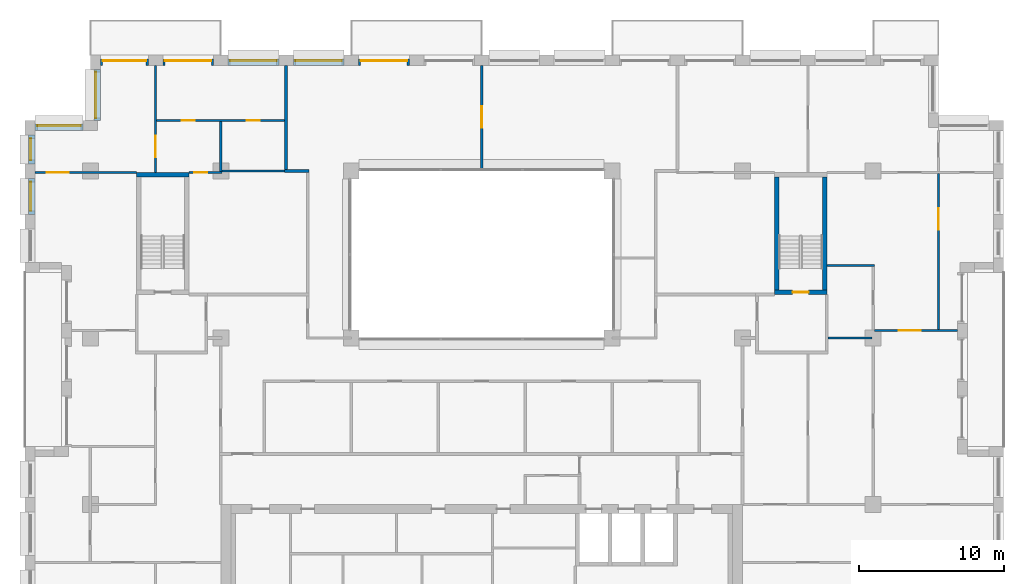
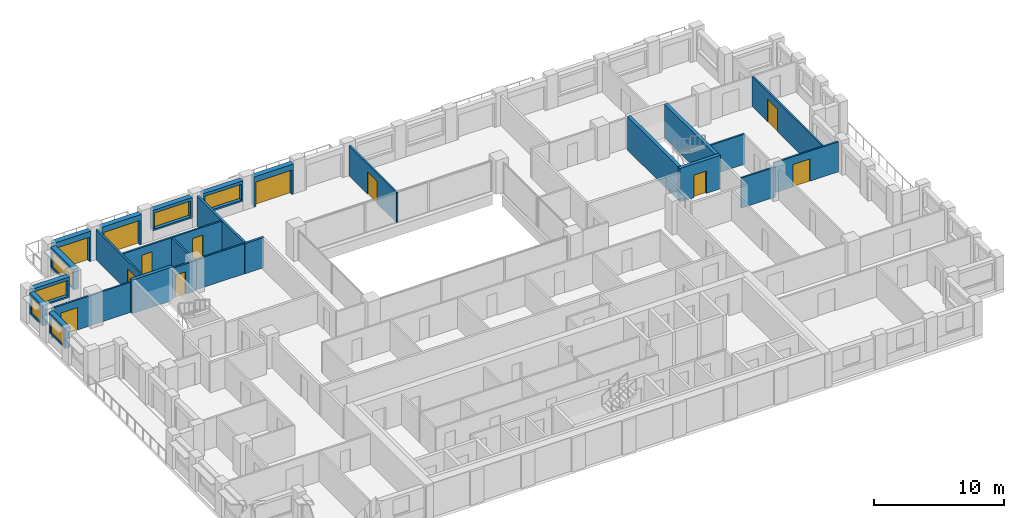
# One storey, part 12 of 16: 26 walls, 12 doors, 6 windows, 18 openings.
"""IFC4 building model written with IfcOpenShell, lengths in metres."""

import ifcopenshell
import ifcopenshell.guid

model = None  # the IFC model being written
_history = None  # IfcOwnerHistory: only IFC2X3 demands one
_inside = {}  # id of a spatial element -> (the spatial element, [elements in it])
_under = {}  # id of a project, library or spatial element -> (it, [spatial elements below it])
_declared = {}  # id of a project -> (the project, [libraries it declares])
_typed = {}  # id of a type object -> (the type object, [elements of that type])
_made_of = {}  # id of a material, layer set ... -> (it, [elements and type objects made of it])


def new_model(schema):
    """Start an empty IFC model of exactly this schema.

    Asked for "IFC4X3", IfcOpenShell would pick the latest addendum, in which some entities
    have other attributes; the version numbers below select the first issue.
    IFC2X3 requires an IfcOwnerHistory on every rooted entity: one is made here for all.
    """
    global model, _history
    if schema == "IFC4X3":
        model = ifcopenshell.file(schema_version=(4, 3, 0, 0))
    else:
        model = ifcopenshell.file(schema=schema)
    _inside.clear()
    _under.clear()
    _declared.clear()
    _typed.clear()
    _made_of.clear()
    _history = None
    if model.schema == "IFC2X3":
        org = make("IfcOrganization", Name="unknown")
        user = make(
            "IfcPersonAndOrganization",
            ThePerson=make("IfcPerson", FamilyName="unknown"),
            TheOrganization=org,
        )
        app = make(
            "IfcApplication",
            ApplicationDeveloper=org,
            Version="unknown",
            ApplicationFullName="unknown",
            ApplicationIdentifier="unknown",
        )
        _history = make(
            "IfcOwnerHistory",
            OwningUser=user,
            OwningApplication=app,
            ChangeAction="ADDED",
            CreationDate=0,
        )
    return model


def make(cls, **values):
    """One entity of the class cls with the attributes given. An attribute that is None is left unset."""
    return model.create_entity(
        cls, **{name: value for name, value in values.items() if value is not None}
    )


def rooted(cls, **values):
    """An entity with a GlobalId (a new one), such as an element, a storey or a relation."""
    return make(cls, GlobalId=ifcopenshell.guid.new(), OwnerHistory=_history, **values)


def si_unit(unit_type, name, prefix=None):
    """IfcSIUnit, for example si_unit("LENGTHUNIT", "METRE", prefix="MILLI")."""
    return make("IfcSIUnit", UnitType=unit_type, Prefix=prefix, Name=name)


def assignment(units):
    """IfcUnitAssignment: the units of a project."""
    return None if units is None else make("IfcUnitAssignment", Units=units)


def point(xyz):
    """IfcCartesianPoint."""
    return None if xyz is None else make("IfcCartesianPoint", Coordinates=xyz)


def direction(xyz):
    """IfcDirection."""
    return None if xyz is None else make("IfcDirection", DirectionRatios=xyz)


def frame(location, z_axis=None, x_axis=None):
    """IfcAxis2Placement3D, a coordinate frame: its origin and axes. An axis left out is left unset."""
    return make(
        "IfcAxis2Placement3D",
        Location=point(location),
        Axis=direction(z_axis),
        RefDirection=direction(x_axis),
    )


def frame_2d(location, x_axis=None):
    """IfcAxis2Placement2D, a coordinate frame in the plane: its origin and x axis."""
    return make(
        "IfcAxis2Placement2D", Location=point(location), RefDirection=direction(x_axis)
    )


def origin():
    """The frame at (0, 0, 0) with its axes left unset."""
    return frame((0.0, 0.0, 0.0))


def place(relative_to, where):
    """IfcLocalPlacement: puts the frame where relative to a parent placement (None: the world)."""
    return make(
        "IfcLocalPlacement", PlacementRelTo=relative_to, RelativePlacement=where
    )


def context(
    kind, dimensions, precision=None, world=None, true_north=None, identifier=None
):
    """IfcGeometricRepresentationContext, for example the 3D "Model" context."""
    return make(
        "IfcGeometricRepresentationContext",
        ContextIdentifier=identifier,
        ContextType=kind,
        CoordinateSpaceDimension=dimensions,
        Precision=precision,
        WorldCoordinateSystem=world,
        TrueNorth=true_north,
    )


def subcontext(parent, identifier, kind, view, scale=None):
    """IfcGeometricRepresentationSubContext, for example "Body" below "Model"."""
    return make(
        "IfcGeometricRepresentationSubContext",
        ContextIdentifier=identifier,
        ContextType=kind,
        ParentContext=parent,
        TargetScale=scale,
        TargetView=view,
    )


def project(units=None, contexts=None):
    """IfcProject with its units and contexts."""
    return rooted(
        "IfcProject",
        Name="project",
        RepresentationContexts=contexts,
        UnitsInContext=assignment(units),
    )


def spatial(cls, under=None, at=None, **own):
    """A site, building, storey or space (cls), placed at a placement, below another one or the project."""
    s = rooted(cls, ObjectPlacement=at, **own)
    if under is not None:
        _under.setdefault(under.id(), (under, []))[1].append(s)
    return s


def profile(cls, at=None, kind="AREA", **sizes):
    """A parametric profile (cls). Its sizes go by their IFC names, for example OverallWidth=200.0."""
    return make(cls, ProfileType=kind, Position=at, **sizes)


def rectangle(**sizes):
    """IfcRectangleProfileDef."""
    return profile("IfcRectangleProfileDef", **sizes)


def extrude(swept, where, along, depth):
    """IfcExtrudedAreaSolid: the profile swept, set in the frame where, extruded along a direction by depth."""
    return make(
        "IfcExtrudedAreaSolid",
        SweptArea=swept,
        Position=where,
        ExtrudedDirection=direction(along),
        Depth=depth,
    )


def shape(context_of_items, identifier, shape_type, items):
    """IfcShapeRepresentation: the items that make up one representation, for example the "Body"."""
    return make(
        "IfcShapeRepresentation",
        ContextOfItems=context_of_items,
        RepresentationIdentifier=identifier,
        RepresentationType=shape_type,
        Items=items,
    )


def material(Name=None, Category=None):
    """IfcMaterial."""
    return make("IfcMaterial", Name=Name, Category=Category)


def layer(
    of_material, thickness, ventilated=None, Name=None, Category=None, Priority=None
):
    """IfcMaterialLayer: one layer of a wall or slab, of a material (None: an air gap)."""
    return make(
        "IfcMaterialLayer",
        Material=of_material,
        LayerThickness=thickness,
        IsVentilated=ventilated,
        Name=Name,
        Category=Category,
        Priority=Priority,
    )


def layer_set(layers, Name=None):
    """IfcMaterialLayerSet."""
    return make("IfcMaterialLayerSet", MaterialLayers=layers, LayerSetName=Name)


def made_of(thing, what):
    """Note that an element or type object is made of a material, layer set ...; save() writes the relation."""
    if what is not None:
        _made_of.setdefault(what.id(), (what, []))[1].append(thing)
    return thing


def type_object(cls, material=None, **own):
    """A type object (cls), such as IfcWallType, which elements share."""
    return made_of(rooted(cls, **own), material)


def element(
    cls,
    number,
    at=None,
    inside=None,
    cuts=None,
    type_object=None,
    material=None,
    context=None,
    identifier="Body",
    shape_type=None,
    held_by="IfcProductDefinitionShape",
    body=None,
    shapes=None,
    **own,
):
    """One element of the class cls, such as IfcWall. Its Tag is "e" and its number.

    at: its placement. inside: the storey or other place that contains it. cuts: it is an
    opening in that element (IfcRelVoidsElement). A single representation is given by context,
    identifier, shape_type and body (its items); several are given by shapes. held_by: the class
    of the entity that holds the representations. save() writes the other relations.
    """
    e = rooted(cls, Tag="e%d" % number, ObjectPlacement=at, **own)
    if body is not None:
        shapes = [shape(context, identifier, shape_type, body)]
    if shapes is not None:
        e.Representation = make(held_by, Representations=shapes)
    if inside is not None:
        _inside.setdefault(inside.id(), (inside, []))[1].append(e)
    if cuts is not None:
        rooted(
            "IfcRelVoidsElement", RelatingBuildingElement=cuts, RelatedOpeningElement=e
        )
    if type_object is not None:
        _typed.setdefault(type_object.id(), (type_object, []))[1].append(e)
    return made_of(e, material)


def fill(opening, filler):
    """IfcRelFillsElement: the door or window that sits in an opening."""
    return rooted(
        "IfcRelFillsElement",
        RelatingOpeningElement=opening,
        RelatedBuildingElement=filler,
    )


def aggregate(whole, parts):
    """IfcRelAggregates: a whole, such as a stair, and the parts it consists of."""
    return rooted("IfcRelAggregates", RelatingObject=whole, RelatedObjects=parts)


def save(model, path):
    """Write the relations noted so far, then the file.

    IfcRelAggregates (storeys below a building ...), IfcRelContainedInSpatialStructure (elements
    in a storey), IfcRelDefinesByType, IfcRelAssociatesMaterial and IfcRelDeclares: one each for
    every whole, place, type object, material and project.
    """
    for whole, parts in _under.values():
        aggregate(whole, parts)
    for where, things in _inside.values():
        rooted(
            "IfcRelContainedInSpatialStructure",
            RelatedElements=things,
            RelatingStructure=where,
        )
    for kind, things in _typed.values():
        rooted("IfcRelDefinesByType", RelatedObjects=things, RelatingType=kind)
    for what, things in _made_of.values():
        rooted("IfcRelAssociatesMaterial", RelatedObjects=things, RelatingMaterial=what)
    for by, libraries in _declared.values():
        rooted("IfcRelDeclares", RelatingContext=by, RelatedDefinitions=libraries)
    model.write(path)


model = new_model("IFC4")

# Units and contexts
model_context = context("Model", 3, precision=1e-05, world=origin(), true_north=direction((0.0, 1.0)))
body_context = subcontext(model_context, "Body", "Model", "MODEL_VIEW")
ifc_project = project(units=[si_unit("LENGTHUNIT", "METRE"), si_unit("AREAUNIT", "SQUARE_METRE"), si_unit("VOLUMEUNIT", "CUBIC_METRE"), si_unit("PLANEANGLEUNIT", "RADIAN"), si_unit("MASSUNIT", "GRAM", prefix="KILO")], contexts=[model_context])

# Site, building, storey
site_placement = place(None, origin())
site = spatial("IfcSite", under=ifc_project, at=site_placement, CompositionType="ELEMENT")
building_placement = place(site_placement, origin())
building = spatial("IfcBuilding", under=site, at=building_placement, Name="Brigalow Station Residences", CompositionType="ELEMENT")
storey_placement = place(building_placement, frame((0.0, 0.0, 160.199951171875)))
storey = spatial("IfcBuildingStorey", under=building, at=storey_placement, Name="L46", CompositionType="ELEMENT", Elevation=160.199951171875)

# Wall, opening, door
ifc_material_1 = material(Name="Clay brick masonry", Category="masonry")
ifc_layer_1 = layer(ifc_material_1, 0.449951171875)
ifc_layer_set_1 = layer_set([ifc_layer_1], Name="BRICK INFILL WALL 450")
wall_type_1 = type_object("IfcWallType", Name="BRICK INFILL WALL 450", PredefinedType="SOLIDWALL", material=ifc_layer_set_1)
wall_1_placement = place(storey_placement, frame((31.0, 43.02490234375, 0.0), z_axis=(0.0, 0.0, 1.0), x_axis=(-1.0, 0.0, 0.0)))
wall_1 = element("IfcWall", 1, at=wall_1_placement, inside=storey, type_object=wall_type_1, Name="L46/ewall/W-L46-30", PredefinedType="SOLIDWALL", context=body_context, shape_type="SweptSolid", body=[
    extrude(rectangle(XDim=3.5, YDim=0.449951171875, at=frame_2d((1.75, 0.0))), origin(), (0.0, 0.0, 1.0), 2.830078125),
])
opening_1_placement = place(wall_1_placement, frame((0.14990234375, 0.0, 0.0)))
opening_1 = element("IfcOpeningElement", 2, at=opening_1_placement, cuts=wall_1, Name="Opening D-B3200", PredefinedType="OPENING", context=body_context, shape_type="SweptSolid", body=[
    extrude(rectangle(XDim=3.199951171875, YDim=2.300048828125, at=frame_2d((1.60009765625, 1.14990234375))), frame((0.0, 0.23486328125, 0.0), z_axis=(0.0, -1.0, 0.0), x_axis=(1.0, 0.0, 0.0)), (0.0, 0.0, 1.0), 0.469970703125),
])
ifc_material_2 = material(Name="Anodised aluminium frame with double glazing", Category="aluminium")
door_type_1 = type_object("IfcDoorType", Name="BALCONY SLIDING DOOR 3200x2300", OperationType="SLIDING_TO_LEFT", PredefinedType="DOOR", material=ifc_material_2)
door_1_placement = place(opening_1_placement, origin())
door_1 = element("IfcDoor", 3, at=door_1_placement, inside=storey, type_object=door_type_1, Name="L46/balcony-door/W-L46-30", OperationType="SLIDING_TO_LEFT", OverallHeight=2.300048828125, OverallWidth=3.199951171875, PredefinedType="DOOR", context=body_context, shape_type="SweptSolid", body=[
    extrude(rectangle(XDim=3.199951171875, YDim=2.300048828125, at=frame_2d((1.60009765625, 1.14990234375))), frame((0.0, -0.06982421875, 0.0), z_axis=(0.0, -1.0, 0.0), x_axis=(1.0, 0.0, 0.0)), (0.0, 0.0, 1.0), 0.050048828125),
])
fill(opening_1, door_1)

# Wall, opening, window
wall_2_placement = place(storey_placement, frame((26.5, 43.02490234375, 0.900146484375), z_axis=(0.0, 0.0, 1.0), x_axis=(-1.0, 0.0, 0.0)))
wall_2 = element("IfcWall", 4, at=wall_2_placement, inside=storey, type_object=wall_type_1, Name="L46/ewall/W-L46-31", PredefinedType="SOLIDWALL", context=body_context, shape_type="SweptSolid", body=[
    extrude(rectangle(XDim=3.5, YDim=0.449951171875, at=frame_2d((1.75, 0.0))), origin(), (0.0, 0.0, 1.0), 1.929931640625),
])
opening_2_placement = place(wall_2_placement, frame((0.14990234375, 0.0, 0.14990234375)))
opening_2 = element("IfcOpeningElement", 5, at=opening_2_placement, cuts=wall_2, Name="Opening WT-9", PredefinedType="OPENING", context=body_context, shape_type="SweptSolid", body=[
    extrude(rectangle(XDim=3.199951171875, YDim=1.5, at=frame_2d((1.60009765625, 0.75))), frame((0.0, 0.23486328125, 0.0), z_axis=(0.0, -1.0, 0.0), x_axis=(1.0, 0.0, 0.0)), (0.0, 0.0, 1.0), 0.469970703125),
])
ifc_material_3 = material(Name="Anodised aluminium frame with double glazing", Category="aluminium")
window_type_1 = type_object("IfcWindowType", Name="WINDOW 3200x1500", PartitioningType="SINGLE_PANEL", PredefinedType="WINDOW", material=ifc_material_3)
window_1_placement = place(opening_2_placement, origin())
window_1 = element("IfcWindow", 6, at=window_1_placement, inside=storey, type_object=window_type_1, Name="L46/window/W-L46-31", OverallHeight=1.5, OverallWidth=3.199951171875, PartitioningType="SINGLE_PANEL", PredefinedType="WINDOW", context=body_context, shape_type="SweptSolid", body=[
    extrude(rectangle(XDim=3.199951171875, YDim=1.5, at=frame_2d((1.60009765625, 0.75))), frame((0.0, -0.06494140625, 0.0), z_axis=(0.0, -1.0, 0.0), x_axis=(1.0, 0.0, 0.0)), (0.0, 0.0, 1.0), 0.06005859375),
])
fill(opening_2, window_1)

wall_3_placement = place(storey_placement, frame((22.0, 43.02490234375, 0.900146484375), z_axis=(0.0, 0.0, 1.0), x_axis=(-1.0, 0.0, 0.0)))
wall_3 = element("IfcWall", 7, at=wall_3_placement, inside=storey, type_object=wall_type_1, Name="L46/ewall/W-L46-32", PredefinedType="SOLIDWALL", context=body_context, shape_type="SweptSolid", body=[
    extrude(rectangle(XDim=3.5, YDim=0.449951171875, at=frame_2d((1.75, 0.0))), origin(), (0.0, 0.0, 1.0), 1.929931640625),
])
opening_3_placement = place(wall_3_placement, frame((0.14990234375, 0.0, 0.14990234375)))
opening_3 = element("IfcOpeningElement", 8, at=opening_3_placement, cuts=wall_3, Name="Opening WT-9", PredefinedType="OPENING", context=body_context, shape_type="SweptSolid", body=[
    extrude(rectangle(XDim=3.199951171875, YDim=1.5, at=frame_2d((1.60009765625, 0.75))), frame((0.0, 0.23486328125, 0.0), z_axis=(0.0, -1.0, 0.0), x_axis=(1.0, 0.0, 0.0)), (0.0, 0.0, 1.0), 0.469970703125),
])
window_2_placement = place(opening_3_placement, origin())
window_2 = element("IfcWindow", 9, at=window_2_placement, inside=storey, type_object=window_type_1, Name="L46/window/W-L46-32", OverallHeight=1.5, OverallWidth=3.199951171875, PartitioningType="SINGLE_PANEL", PredefinedType="WINDOW", context=body_context, shape_type="SweptSolid", body=[
    extrude(rectangle(XDim=3.199951171875, YDim=1.5, at=frame_2d((1.60009765625, 0.75))), frame((0.0, -0.06494140625, 0.0), z_axis=(0.0, -1.0, 0.0), x_axis=(1.0, 0.0, 0.0)), (0.0, 0.0, 1.0), 0.06005859375),
])
fill(opening_3, window_2)

# Wall, opening, door
wall_4_placement = place(storey_placement, frame((17.5, 43.02490234375, 0.0), z_axis=(0.0, 0.0, 1.0), x_axis=(-1.0, 0.0, 0.0)))
wall_4 = element("IfcWall", 10, at=wall_4_placement, inside=storey, type_object=wall_type_1, Name="L46/ewall/W-L46-33", PredefinedType="SOLIDWALL", context=body_context, shape_type="SweptSolid", body=[
    extrude(rectangle(XDim=3.5, YDim=0.449951171875, at=frame_2d((1.75, 0.0))), origin(), (0.0, 0.0, 1.0), 2.830078125),
])
opening_4_placement = place(wall_4_placement, frame((0.14990234375, 0.0, 0.0)))
opening_4 = element("IfcOpeningElement", 11, at=opening_4_placement, cuts=wall_4, Name="Opening D-B3200", PredefinedType="OPENING", context=body_context, shape_type="SweptSolid", body=[
    extrude(rectangle(XDim=3.199951171875, YDim=2.300048828125, at=frame_2d((1.60009765625, 1.14990234375))), frame((0.0, 0.23486328125, 0.0), z_axis=(0.0, -1.0, 0.0), x_axis=(1.0, 0.0, 0.0)), (0.0, 0.0, 1.0), 0.469970703125),
])
door_2_placement = place(opening_4_placement, origin())
door_2 = element("IfcDoor", 12, at=door_2_placement, inside=storey, type_object=door_type_1, Name="L46/balcony-door/W-L46-33", OperationType="SLIDING_TO_LEFT", OverallHeight=2.300048828125, OverallWidth=3.199951171875, PredefinedType="DOOR", context=body_context, shape_type="SweptSolid", body=[
    extrude(rectangle(XDim=3.199951171875, YDim=2.300048828125, at=frame_2d((1.60009765625, 1.14990234375))), frame((0.0, -0.06982421875, 0.0), z_axis=(0.0, -1.0, 0.0), x_axis=(1.0, 0.0, 0.0)), (0.0, 0.0, 1.0), 0.050048828125),
])
fill(opening_4, door_2)

wall_5_placement = place(storey_placement, frame((13.0, 43.02490234375, 0.0), z_axis=(0.0, 0.0, 1.0), x_axis=(-1.0, 0.0, 0.0)))
wall_5 = element("IfcWall", 13, at=wall_5_placement, inside=storey, type_object=wall_type_1, Name="L46/ewall/W-L46-34", PredefinedType="SOLIDWALL", context=body_context, shape_type="SweptSolid", body=[
    extrude(rectangle(XDim=3.300048828125, YDim=0.449951171875, at=frame_2d((1.64990234375, 0.0))), origin(), (0.0, 0.0, 1.0), 2.830078125),
])
opening_5_placement = place(wall_5_placement, frame((0.14990234375, 0.0, 0.0)))
opening_5 = element("IfcOpeningElement", 14, at=opening_5_placement, cuts=wall_5, Name="Opening D-B3000", PredefinedType="OPENING", context=body_context, shape_type="SweptSolid", body=[
    extrude(rectangle(XDim=3.0, YDim=2.300048828125, at=frame_2d((1.5, 1.14990234375))), frame((0.0, 0.23486328125, 0.0), z_axis=(0.0, -1.0, 0.0), x_axis=(1.0, 0.0, 0.0)), (0.0, 0.0, 1.0), 0.469970703125),
])
ifc_material_4 = material(Name="Anodised aluminium frame with double glazing", Category="aluminium")
door_type_2 = type_object("IfcDoorType", Name="BALCONY SLIDING DOOR 3000x2300", OperationType="SLIDING_TO_LEFT", PredefinedType="DOOR", material=ifc_material_4)
door_3_placement = place(opening_5_placement, origin())
door_3 = element("IfcDoor", 15, at=door_3_placement, inside=storey, type_object=door_type_2, Name="L46/balcony-door/W-L46-34", OperationType="SLIDING_TO_LEFT", OverallHeight=2.300048828125, OverallWidth=3.0, PredefinedType="DOOR", context=body_context, shape_type="SweptSolid", body=[
    extrude(rectangle(XDim=3.0, YDim=2.300048828125, at=frame_2d((1.5, 1.14990234375))), frame((0.0, -0.06982421875, 0.0), z_axis=(0.0, -1.0, 0.0), x_axis=(1.0, 0.0, 0.0)), (0.0, 0.0, 1.0), 0.050048828125),
])
fill(opening_5, door_3)

# Wall, opening, window
wall_6_placement = place(storey_placement, frame((9.47509765625, 42.5, 0.900146484375), z_axis=(0.0, 0.0, 1.0), x_axis=(0.0, -1.0, 0.0)))
wall_6 = element("IfcWall", 16, at=wall_6_placement, inside=storey, type_object=wall_type_1, Name="L46/ewall/W-L46-35", PredefinedType="SOLIDWALL", context=body_context, shape_type="SweptSolid", body=[
    extrude(rectangle(XDim=3.5, YDim=0.449951171875, at=frame_2d((1.75, 0.0))), origin(), (0.0, 0.0, 1.0), 1.929931640625),
])
opening_6_placement = place(wall_6_placement, frame((0.14990234375, 0.0, 0.14990234375)))
opening_6 = element("IfcOpeningElement", 17, at=opening_6_placement, cuts=wall_6, Name="Opening WT-9", PredefinedType="OPENING", context=body_context, shape_type="SweptSolid", body=[
    extrude(rectangle(XDim=3.199951171875, YDim=1.5, at=frame_2d((1.60009765625, 0.75))), frame((0.0, 0.23486328125, 0.0), z_axis=(0.0, -1.0, 0.0), x_axis=(1.0, 0.0, 0.0)), (0.0, 0.0, 1.0), 0.469970703125),
])
window_3_placement = place(opening_6_placement, origin())
window_3 = element("IfcWindow", 18, at=window_3_placement, inside=storey, type_object=window_type_1, Name="L46/window/W-L46-35", OverallHeight=1.5, OverallWidth=3.199951171875, PartitioningType="SINGLE_PANEL", PredefinedType="WINDOW", context=body_context, shape_type="SweptSolid", body=[
    extrude(rectangle(XDim=3.199951171875, YDim=1.5, at=frame_2d((1.60009765625, 0.75))), frame((0.0, -0.06494140625, 0.0), z_axis=(0.0, -1.0, 0.0), x_axis=(1.0, 0.0, 0.0)), (0.0, 0.0, 1.0), 0.06005859375),
])
fill(opening_6, window_3)

wall_7_placement = place(storey_placement, frame((8.5, 38.52490234375, 0.900146484375), z_axis=(0.0, 0.0, 1.0), x_axis=(-1.0, 0.0, 0.0)))
wall_7 = element("IfcWall", 19, at=wall_7_placement, inside=storey, type_object=wall_type_1, Name="L46/ewall/W-L46-36", PredefinedType="SOLIDWALL", context=body_context, shape_type="SweptSolid", body=[
    extrude(rectangle(XDim=3.300048828125, YDim=0.449951171875, at=frame_2d((1.64990234375, 0.0))), origin(), (0.0, 0.0, 1.0), 1.929931640625),
])
opening_7_placement = place(wall_7_placement, frame((0.14990234375, 0.0, 0.14990234375)))
opening_7 = element("IfcOpeningElement", 20, at=opening_7_placement, cuts=wall_7, Name="Opening WT-2", PredefinedType="OPENING", context=body_context, shape_type="SweptSolid", body=[
    extrude(rectangle(XDim=3.0, YDim=1.5, at=frame_2d((1.5, 0.75))), frame((0.0, 0.23486328125, 0.0), z_axis=(0.0, -1.0, 0.0), x_axis=(1.0, 0.0, 0.0)), (0.0, 0.0, 1.0), 0.469970703125),
])
ifc_material_5 = material(Name="Anodised aluminium frame with double glazing", Category="aluminium")
window_type_2 = type_object("IfcWindowType", Name="WINDOW 3000x1500", PartitioningType="SINGLE_PANEL", PredefinedType="WINDOW", material=ifc_material_5)
window_4_placement = place(opening_7_placement, origin())
window_4 = element("IfcWindow", 21, at=window_4_placement, inside=storey, type_object=window_type_2, Name="L46/window/W-L46-36", OverallHeight=1.5, OverallWidth=3.0, PartitioningType="SINGLE_PANEL", PredefinedType="WINDOW", context=body_context, shape_type="SweptSolid", body=[
    extrude(rectangle(XDim=3.0, YDim=1.5, at=frame_2d((1.5, 0.75))), frame((0.0, -0.06494140625, 0.0), z_axis=(0.0, -1.0, 0.0), x_axis=(1.0, 0.0, 0.0)), (0.0, 0.0, 1.0), 0.06005859375),
])
fill(opening_7, window_4)

wall_8_placement = place(storey_placement, frame((4.97509765625, 38.0, 0.900146484375), z_axis=(0.0, 0.0, 1.0), x_axis=(0.0, -1.0, 0.0)))
wall_8 = element("IfcWall", 22, at=wall_8_placement, inside=storey, type_object=wall_type_1, Name="L46/ewall/W-L46-37", PredefinedType="SOLIDWALL", context=body_context, shape_type="SweptSolid", body=[
    extrude(rectangle(XDim=2.0, YDim=0.449951171875, at=frame_2d((1.0, 0.0))), origin(), (0.0, 0.0, 1.0), 1.929931640625),
])
opening_8_placement = place(wall_8_placement, frame((0.25, 0.0, 0.14990234375)))
opening_8 = element("IfcOpeningElement", 23, at=opening_8_placement, cuts=wall_8, Name="Opening WT-1", PredefinedType="OPENING", context=body_context, shape_type="SweptSolid", body=[
    extrude(rectangle(XDim=1.5, YDim=1.5, at=frame_2d((0.75, 0.75))), frame((0.0, 0.23486328125, 0.0), z_axis=(0.0, -1.0, 0.0), x_axis=(1.0, 0.0, 0.0)), (0.0, 0.0, 1.0), 0.469970703125),
])
ifc_material_6 = material(Name="Anodised aluminium frame with double glazing", Category="aluminium")
window_type_3 = type_object("IfcWindowType", Name="WINDOW 1500x1500", PartitioningType="SINGLE_PANEL", PredefinedType="WINDOW", material=ifc_material_6)
window_5_placement = place(opening_8_placement, origin())
window_5 = element("IfcWindow", 24, at=window_5_placement, inside=storey, type_object=window_type_3, Name="L46/window/W-L46-37", OverallHeight=1.5, OverallWidth=1.5, PartitioningType="SINGLE_PANEL", PredefinedType="WINDOW", context=body_context, shape_type="SweptSolid", body=[
    extrude(rectangle(XDim=1.5, YDim=1.5, at=frame_2d((0.75, 0.75))), frame((0.0, -0.06494140625, 0.0), z_axis=(0.0, -1.0, 0.0), x_axis=(1.0, 0.0, 0.0)), (0.0, 0.0, 1.0), 0.06005859375),
])
fill(opening_8, window_5)

wall_9_placement = place(storey_placement, frame((4.97509765625, 35.0, 0.900146484375), z_axis=(0.0, 0.0, 1.0), x_axis=(0.0, -1.0, 0.0)))
wall_9 = element("IfcWall", 25, at=wall_9_placement, inside=storey, type_object=wall_type_1, Name="L46/ewall/W-L46-38", PredefinedType="SOLIDWALL", context=body_context, shape_type="SweptSolid", body=[
    extrude(rectangle(XDim=2.5, YDim=0.449951171875, at=frame_2d((1.25, 0.0))), origin(), (0.0, 0.0, 1.0), 1.929931640625),
])
opening_9_placement = place(wall_9_placement, frame((0.25, 0.0, 0.14990234375)))
opening_9 = element("IfcOpeningElement", 26, at=opening_9_placement, cuts=wall_9, Name="Opening WT-7", PredefinedType="OPENING", context=body_context, shape_type="SweptSolid", body=[
    extrude(rectangle(XDim=2.0, YDim=1.5, at=frame_2d((1.0, 0.75))), frame((0.0, 0.23486328125, 0.0), z_axis=(0.0, -1.0, 0.0), x_axis=(1.0, 0.0, 0.0)), (0.0, 0.0, 1.0), 0.469970703125),
])
ifc_material_7 = material(Name="Anodised aluminium frame with double glazing", Category="aluminium")
window_type_4 = type_object("IfcWindowType", Name="WINDOW 2000x1500", PartitioningType="SINGLE_PANEL", PredefinedType="WINDOW", material=ifc_material_7)
window_6_placement = place(opening_9_placement, origin())
window_6 = element("IfcWindow", 27, at=window_6_placement, inside=storey, type_object=window_type_4, Name="L46/window/W-L46-38", OverallHeight=1.5, OverallWidth=2.0, PartitioningType="SINGLE_PANEL", PredefinedType="WINDOW", context=body_context, shape_type="SweptSolid", body=[
    extrude(rectangle(XDim=2.0, YDim=1.5, at=frame_2d((1.0, 0.75))), frame((0.0, -0.06494140625, 0.0), z_axis=(0.0, -1.0, 0.0), x_axis=(1.0, 0.0, 0.0)), (0.0, 0.0, 1.0), 0.06005859375),
])
fill(opening_9, window_6)

# Wall
ifc_material_8 = material(Name="Concrete C65", Category="concrete")
ifc_layer_2 = layer(ifc_material_8, 0.300048828125)
ifc_layer_set_2 = layer_set([ifc_layer_2], Name="CORE SHEAR WALL 300 C65")
wall_type_2 = type_object("IfcWallType", Name="CORE SHEAR WALL 300 C65", PredefinedType="SHEAR", material=ifc_layer_set_2)
wall_10_placement = place(storey_placement, frame((12.199951171875, 35.25, 0.0), z_axis=(0.0, 0.0, 1.0), x_axis=(1.0, 0.0, 0.0)))
element("IfcWall", 28, at=wall_10_placement, inside=storey, type_object=wall_type_2, Name="CORE WALL ST-S1-N L46", PredefinedType="SHEAR", context=body_context, shape_type="SweptSolid", body=[
    extrude(rectangle(XDim=3.60009765625, YDim=0.300048828125, at=frame_2d((1.800048828125, 0.0))), origin(), (0.0, 0.0, 1.0), 3.150146484375),
])

# Wall, opening, door
wall_11_placement = place(storey_placement, frame((56.199951171875, 27.14990234375, 0.0), z_axis=(0.0, 0.0, 1.0), x_axis=(1.0, 0.0, 0.0)))
wall_11 = element("IfcWall", 29, at=wall_11_placement, inside=storey, type_object=wall_type_2, Name="CORE WALL ST-S3-S L46", PredefinedType="SHEAR", context=body_context, shape_type="SweptSolid", body=[
    extrude(rectangle(XDim=3.60009765625, YDim=0.300048828125, at=frame_2d((1.800048828125, 0.0))), origin(), (0.0, 0.0, 1.0), 3.150146484375),
])
opening_10_placement = place(wall_11_placement, frame((1.25, 0.0, 0.0)))
opening_10 = element("IfcOpeningElement", 30, at=opening_10_placement, cuts=wall_11, Name="Opening D-5018", PredefinedType="OPENING", context=body_context, shape_type="SweptSolid", body=[
    extrude(rectangle(XDim=1.10009765625, YDim=2.10009765625, at=frame_2d((0.550048828125, 1.050048828125))), frame((0.0, 0.16015625, 0.0), z_axis=(0.0, -1.0, 0.0), x_axis=(1.0, 0.0, 0.0)), (0.0, 0.0, 1.0), 0.320068359375),
])
ifc_material_9 = material(Name="Steel fire door leaf in steel frame", Category="steel")
door_type_3 = type_object("IfcDoorType", Name="STAIR DOOR 1100 x 2100 FD60S", OperationType="SINGLE_SWING_LEFT", PredefinedType="DOOR", material=ifc_material_9)
door_4_placement = place(opening_10_placement, origin())
door_4 = element("IfcDoor", 31, at=door_4_placement, inside=storey, type_object=door_type_3, Name="D-5018", OperationType="SINGLE_SWING_LEFT", OverallHeight=2.10009765625, OverallWidth=1.10009765625, PredefinedType="DOOR", context=body_context, shape_type="SweptSolid", body=[
    extrude(rectangle(XDim=1.10009765625, YDim=2.10009765625, at=frame_2d((0.550048828125, 1.050048828125))), frame((0.0, 0.02490234375, 0.0), z_axis=(0.0, -1.0, 0.0), x_axis=(1.0, 0.0, 0.0)), (0.0, 0.0, 1.0), 0.050048828125),
])
fill(opening_10, door_4)

# Walls
for number, where, z_axis, x_axis, name in (
    (32, (56.35009765625, 27.300048828125, 0.0), (0.0, 0.0, 1.0), (0.0, 1.0, 0.0), "CORE WALL ST-S3-W L46"),
    (33, (59.64990234375, 27.300048828125, 0.0), (0.0, 0.0, 1.0), (0.0, 1.0, 0.0), "CORE WALL ST-S3-E L46"),
):
    element("IfcWall", number, at=place(storey_placement, frame(where, z_axis=z_axis, x_axis=x_axis)), inside=storey, type_object=wall_type_2, Name=name, PredefinedType="SHEAR", context=body_context, shape_type="SweptSolid", body=[
        extrude(rectangle(XDim=7.800048828125, YDim=0.300048828125, at=frame_2d((3.89990234375, 0.0))), origin(), (0.0, 0.0, 1.0), 3.150146484375),
    ])
ifc_material_10 = material(Name="Plasterboard on steel stud partition", Category="steel")
ifc_layer_3 = layer(ifc_material_10, 0.14990234375)
ifc_layer_set_3 = layer_set([ifc_layer_3], Name="FLAT PARTITION 150")
wall_type_3 = type_object("IfcWallType", Name="FLAT PARTITION 150", PredefinedType="PARTITIONING", material=ifc_layer_set_3)
wall_12_placement = place(storey_placement, frame((59.89990234375, 24.0, 0.0), z_axis=(0.0, 0.0, 1.0), x_axis=(1.0, 0.0, 0.0)))
element("IfcWall", 34, at=wall_12_placement, inside=storey, type_object=wall_type_3, Name="PW-3C03", PredefinedType="PARTITIONING", context=body_context, shape_type="SweptSolid", body=[
    extrude(rectangle(XDim=3.025146484375, YDim=0.14990234375, at=frame_2d((1.5126953125, 0.0))), origin(), (0.0, 0.0, 1.0), 2.830078125),
])

# Wall, opening, door
wall_13_placement = place(storey_placement, frame((63.074951171875, 24.5, 0.0), z_axis=(0.0, 0.0, 1.0), x_axis=(1.0, 0.0, 0.0)))
wall_13 = element("IfcWall", 35, at=wall_13_placement, inside=storey, type_object=wall_type_3, Name="PW-3C15", PredefinedType="PARTITIONING", context=body_context, shape_type="SweptSolid", body=[
    extrude(rectangle(XDim=5.72509765625, YDim=0.14990234375, at=frame_2d((2.862548828125, 0.0))), origin(), (0.0, 0.0, 1.0), 2.830078125),
])
opening_11_placement = place(wall_13_placement, frame((1.699951171875, 0.0, 0.0)))
opening_11 = element("IfcOpeningElement", 36, at=opening_11_placement, cuts=wall_13, Name="Opening D-3C23", PredefinedType="OPENING", context=body_context, shape_type="SweptSolid", body=[
    extrude(rectangle(XDim=1.5, YDim=2.10009765625, at=frame_2d((0.75, 1.050048828125))), frame((0.0, 0.0849609375, 0.0), z_axis=(0.0, -1.0, 0.0), x_axis=(1.0, 0.0, 0.0)), (0.0, 0.0, 1.0), 0.169921875),
])
ifc_material_11 = material(Name="Solid-core timber door leaf", Category="wood")
door_type_4 = type_object("IfcDoorType", Name="INTERNAL DOUBLE DOOR 1500 x 2100", OperationType="DOUBLE_DOOR_SINGLE_SWING", PredefinedType="DOOR", material=ifc_material_11)
door_5_placement = place(opening_11_placement, origin())
door_5 = element("IfcDoor", 37, at=door_5_placement, inside=storey, type_object=door_type_4, Name="D-3C23", OperationType="DOUBLE_DOOR_SINGLE_SWING", OverallHeight=2.10009765625, OverallWidth=1.5, PredefinedType="DOOR", context=body_context, shape_type="SweptSolid", body=[
    extrude(rectangle(XDim=1.5, YDim=2.10009765625, at=frame_2d((0.75, 1.050048828125))), frame((0.0, 0.02490234375, 0.0), z_axis=(0.0, -1.0, 0.0), x_axis=(1.0, 0.0, 0.0)), (0.0, 0.0, 1.0), 0.050048828125),
])
fill(opening_11, door_5)

wall_14_placement = place(storey_placement, frame((5.199951171875, 35.39990234375, 0.0), z_axis=(0.0, 0.0, 1.0), x_axis=(1.0, 0.0, 0.0)))
wall_14 = element("IfcWall", 38, at=wall_14_placement, inside=storey, type_object=wall_type_3, Name="PW-3C16", PredefinedType="PARTITIONING", context=body_context, shape_type="SweptSolid", body=[
    extrude(rectangle(XDim=7.0, YDim=0.14990234375, at=frame_2d((3.5, 0.0))), origin(), (0.0, 0.0, 1.0), 2.830078125),
])
opening_12_placement = place(wall_14_placement, frame((0.800048828125, 0.0, 0.0)))
opening_12 = element("IfcOpeningElement", 39, at=opening_12_placement, cuts=wall_14, Name="Opening D-3C10", PredefinedType="OPENING", context=body_context, shape_type="SweptSolid", body=[
    extrude(rectangle(XDim=1.5, YDim=2.10009765625, at=frame_2d((0.75, 1.050048828125))), frame((0.0, 0.0849609375, 0.0), z_axis=(0.0, -1.0, 0.0), x_axis=(1.0, 0.0, 0.0)), (0.0, 0.0, 1.0), 0.169921875),
])
door_6_placement = place(opening_12_placement, origin())
door_6 = element("IfcDoor", 40, at=door_6_placement, inside=storey, type_object=door_type_4, Name="D-3C10", OperationType="DOUBLE_DOOR_SINGLE_SWING", OverallHeight=2.10009765625, OverallWidth=1.5, PredefinedType="DOOR", context=body_context, shape_type="SweptSolid", body=[
    extrude(rectangle(XDim=1.5, YDim=2.10009765625, at=frame_2d((0.75, 1.050048828125))), frame((0.0, 0.02490234375, 0.0), z_axis=(0.0, -1.0, 0.0), x_axis=(1.0, 0.0, 0.0)), (0.0, 0.0, 1.0), 0.050048828125),
])
fill(opening_12, door_6)

wall_15_placement = place(storey_placement, frame((15.800048828125, 35.39990234375, 0.0), z_axis=(0.0, 0.0, 1.0), x_axis=(1.0, 0.0, 0.0)))
wall_15 = element("IfcWall", 41, at=wall_15_placement, inside=storey, type_object=wall_type_3, Name="PW-3C17", PredefinedType="PARTITIONING", context=body_context, shape_type="SweptSolid", body=[
    extrude(rectangle(XDim=2.27490234375, YDim=0.14990234375, at=frame_2d((1.137451171875, 0.0))), origin(), (0.0, 0.0, 1.0), 2.830078125),
])
opening_13_placement = place(wall_15_placement, frame((0.375, 0.0, 0.0)))
opening_13 = element("IfcOpeningElement", 42, at=opening_13_placement, cuts=wall_15, Name="Opening D-3C14", PredefinedType="OPENING", context=body_context, shape_type="SweptSolid", body=[
    extrude(rectangle(XDim=0.89990234375, YDim=2.10009765625, at=frame_2d((0.449951171875, 1.050048828125))), frame((0.0, 0.0849609375, 0.0), z_axis=(0.0, -1.0, 0.0), x_axis=(1.0, 0.0, 0.0)), (0.0, 0.0, 1.0), 0.169921875),
])
ifc_material_12 = material(Name="Solid-core timber door leaf", Category="wood")
door_type_5 = type_object("IfcDoorType", Name="INTERNAL DOOR 900 x 2100", OperationType="SINGLE_SWING_LEFT", PredefinedType="DOOR", material=ifc_material_12)
door_7_placement = place(opening_13_placement, frame((0.89990234375, 0.0, 0.0), z_axis=(0.0, 0.0, 1.0), x_axis=(-1.0, 0.0, 0.0)))
door_7 = element("IfcDoor", 43, at=door_7_placement, inside=storey, type_object=door_type_5, Name="D-3C14", OperationType="SINGLE_SWING_RIGHT", OverallHeight=2.10009765625, OverallWidth=0.89990234375, PredefinedType="DOOR", context=body_context, shape_type="SweptSolid", body=[
    extrude(rectangle(XDim=0.89990234375, YDim=2.10009765625, at=frame_2d((0.449951171875, 1.050048828125))), frame((0.0, 0.02490234375, 0.0), z_axis=(0.0, -1.0, 0.0), x_axis=(1.0, 0.0, 0.0)), (0.0, 0.0, 1.0), 0.050048828125),
])
fill(opening_13, door_7)

# Wall, openings, doors
wall_16_placement = place(storey_placement, frame((13.574951171875, 39.0, 0.0), z_axis=(0.0, 0.0, 1.0), x_axis=(1.0, 0.0, 0.0)))
wall_16 = element("IfcWall", 44, at=wall_16_placement, inside=storey, type_object=wall_type_3, Name="PW-3C20", PredefinedType="PARTITIONING", context=body_context, shape_type="SweptSolid", body=[
    extrude(rectangle(XDim=8.824951171875, YDim=0.14990234375, at=frame_2d((4.41259765625, 0.0))), origin(), (0.0, 0.0, 1.0), 2.830078125),
])
opening_14_placement = place(wall_16_placement, frame((1.72509765625, 0.0, 0.0)))
opening_14 = element("IfcOpeningElement", 45, at=opening_14_placement, cuts=wall_16, Name="Opening D-3C12", PredefinedType="OPENING", context=body_context, shape_type="SweptSolid", body=[
    extrude(rectangle(XDim=0.89990234375, YDim=2.10009765625, at=frame_2d((0.449951171875, 1.050048828125))), frame((0.0, 0.0849609375, 0.0), z_axis=(0.0, -1.0, 0.0), x_axis=(1.0, 0.0, 0.0)), (0.0, 0.0, 1.0), 0.169921875),
])
opening_15_placement = place(wall_16_placement, frame((6.22509765625, 0.0, 0.0)))
opening_15 = element("IfcOpeningElement", 46, at=opening_15_placement, cuts=wall_16, Name="Opening D-3C13", PredefinedType="OPENING", context=body_context, shape_type="SweptSolid", body=[
    extrude(rectangle(XDim=0.89990234375, YDim=2.10009765625, at=frame_2d((0.449951171875, 1.050048828125))), frame((0.0, 0.0849609375, 0.0), z_axis=(0.0, -1.0, 0.0), x_axis=(1.0, 0.0, 0.0)), (0.0, 0.0, 1.0), 0.169921875),
])
door_8_placement = place(opening_14_placement, origin())
door_8 = element("IfcDoor", 47, at=door_8_placement, inside=storey, type_object=door_type_5, Name="D-3C12", OperationType="SINGLE_SWING_LEFT", OverallHeight=2.10009765625, OverallWidth=0.89990234375, PredefinedType="DOOR", context=body_context, shape_type="SweptSolid", body=[
    extrude(rectangle(XDim=0.89990234375, YDim=2.10009765625, at=frame_2d((0.449951171875, 1.050048828125))), frame((0.0, 0.02490234375, 0.0), z_axis=(0.0, -1.0, 0.0), x_axis=(1.0, 0.0, 0.0)), (0.0, 0.0, 1.0), 0.050048828125),
])
fill(opening_14, door_8)
door_9_placement = place(opening_15_placement, frame((0.89990234375, 0.0, 0.0), z_axis=(0.0, 0.0, 1.0), x_axis=(-1.0, 0.0, 0.0)))
door_9 = element("IfcDoor", 48, at=door_9_placement, inside=storey, type_object=door_type_5, Name="D-3C13", OperationType="SINGLE_SWING_LEFT", OverallHeight=2.10009765625, OverallWidth=0.89990234375, PredefinedType="DOOR", context=body_context, shape_type="SweptSolid", body=[
    extrude(rectangle(XDim=0.89990234375, YDim=2.10009765625, at=frame_2d((0.449951171875, 1.050048828125))), frame((0.0, 0.02490234375, 0.0), z_axis=(0.0, -1.0, 0.0), x_axis=(1.0, 0.0, 0.0)), (0.0, 0.0, 1.0), 0.050048828125),
])
fill(opening_15, door_9)

# Walls
wall_17_placement = place(storey_placement, frame((18.074951171875, 35.5, 0.0), z_axis=(0.0, 0.0, 1.0), x_axis=(1.0, 0.0, 0.0)))
element("IfcWall", 49, at=wall_17_placement, inside=storey, type_object=wall_type_3, Name="PW-3C21", PredefinedType="PARTITIONING", context=body_context, shape_type="SweptSolid", body=[
    extrude(rectangle(XDim=4.525146484375, YDim=0.14990234375, at=frame_2d((2.2626953125, 0.0))), origin(), (0.0, 0.0, 1.0), 2.830078125),
])
wall_18_placement = place(storey_placement, frame((59.800048828125, 29.0, 0.0), z_axis=(0.0, 0.0, 1.0), x_axis=(1.0, 0.0, 0.0)))
element("IfcWall", 50, at=wall_18_placement, inside=storey, type_object=wall_type_3, Name="PW-3C24", PredefinedType="PARTITIONING", context=body_context, shape_type="SweptSolid", body=[
    extrude(rectangle(XDim=3.27490234375, YDim=0.14990234375, at=frame_2d((1.637451171875, 0.0))), origin(), (0.0, 0.0, 1.0), 2.830078125),
])
wall_19_placement = place(storey_placement, frame((18.0, 35.47509765625, 0.0), z_axis=(0.0, 0.0, 1.0), x_axis=(0.0, 1.0, 0.0)))
element("IfcWall", 51, at=wall_19_placement, inside=storey, type_object=wall_type_3, Name="PW-3C27", PredefinedType="PARTITIONING", context=body_context, shape_type="SweptSolid", body=[
    extrude(rectangle(XDim=3.449951171875, YDim=0.14990234375, at=frame_2d((1.72509765625, 0.0))), origin(), (0.0, 0.0, 1.0), 2.830078125),
])

# Wall, opening, door
wall_20_placement = place(storey_placement, frame((13.5, 35.39990234375, 0.0), z_axis=(0.0, 0.0, 1.0), x_axis=(0.0, 1.0, 0.0)))
wall_20 = element("IfcWall", 52, at=wall_20_placement, inside=storey, type_object=wall_type_3, Name="PW-3C38", PredefinedType="PARTITIONING", context=body_context, shape_type="SweptSolid", body=[
    extrude(rectangle(XDim=7.400146484375, YDim=0.14990234375, at=frame_2d((3.7001953125, 0.0))), origin(), (0.0, 0.0, 1.0), 2.830078125),
])
opening_16_placement = place(wall_20_placement, frame((1.050048828125, 0.0, 0.0)))
opening_16 = element("IfcOpeningElement", 53, at=opening_16_placement, cuts=wall_20, Name="Opening D-3C11", PredefinedType="OPENING", context=body_context, shape_type="SweptSolid", body=[
    extrude(rectangle(XDim=1.5, YDim=2.10009765625, at=frame_2d((0.75, 1.050048828125))), frame((0.0, 0.0849609375, 0.0), z_axis=(0.0, -1.0, 0.0), x_axis=(1.0, 0.0, 0.0)), (0.0, 0.0, 1.0), 0.169921875),
])
door_10_placement = place(opening_16_placement, origin())
door_10 = element("IfcDoor", 54, at=door_10_placement, inside=storey, type_object=door_type_4, Name="D-3C11", OperationType="DOUBLE_DOOR_SINGLE_SWING", OverallHeight=2.10009765625, OverallWidth=1.5, PredefinedType="DOOR", context=body_context, shape_type="SweptSolid", body=[
    extrude(rectangle(XDim=1.5, YDim=2.10009765625, at=frame_2d((0.75, 1.050048828125))), frame((0.0, 0.02490234375, 0.0), z_axis=(0.0, -1.0, 0.0), x_axis=(1.0, 0.0, 0.0)), (0.0, 0.0, 1.0), 0.050048828125),
])
fill(opening_16, door_10)

wall_21_placement = place(storey_placement, frame((67.5, 24.574951171875, 0.0), z_axis=(0.0, 0.0, 1.0), x_axis=(0.0, 1.0, 0.0)))
wall_21 = element("IfcWall", 55, at=wall_21_placement, inside=storey, type_object=wall_type_3, Name="PW-3C46", PredefinedType="PARTITIONING", context=body_context, shape_type="SweptSolid", body=[
    extrude(rectangle(XDim=10.75, YDim=0.14990234375, at=frame_2d((5.375, 0.0))), origin(), (0.0, 0.0, 1.0), 2.830078125),
])
opening_17_placement = place(wall_21_placement, frame((6.875, 0.0, 0.0)))
opening_17 = element("IfcOpeningElement", 56, at=opening_17_placement, cuts=wall_21, Name="Opening D-3C25", PredefinedType="OPENING", context=body_context, shape_type="SweptSolid", body=[
    extrude(rectangle(XDim=1.5, YDim=2.10009765625, at=frame_2d((0.75, 1.050048828125))), frame((0.0, 0.0849609375, 0.0), z_axis=(0.0, -1.0, 0.0), x_axis=(1.0, 0.0, 0.0)), (0.0, 0.0, 1.0), 0.169921875),
])
door_11_placement = place(opening_17_placement, frame((1.5, 0.0, 0.0), z_axis=(0.0, 0.0, 1.0), x_axis=(-1.0, 0.0, 0.0)))
door_11 = element("IfcDoor", 57, at=door_11_placement, inside=storey, type_object=door_type_4, Name="D-3C25", OperationType="DOUBLE_DOOR_SINGLE_SWING", OverallHeight=2.10009765625, OverallWidth=1.5, PredefinedType="DOOR", context=body_context, shape_type="SweptSolid", body=[
    extrude(rectangle(XDim=1.5, YDim=2.10009765625, at=frame_2d((0.75, 1.050048828125))), frame((0.0, 0.02490234375, 0.0), z_axis=(0.0, -1.0, 0.0), x_axis=(1.0, 0.0, 0.0)), (0.0, 0.0, 1.0), 0.050048828125),
])
fill(opening_17, door_11)

wall_22_placement = place(storey_placement, frame((36.0, 35.5, 0.0), z_axis=(0.0, 0.0, 1.0), x_axis=(0.0, 1.0, 0.0)))
wall_22 = element("IfcWall", 58, at=wall_22_placement, inside=storey, type_object=wall_type_3, Name="PW-3C50", PredefinedType="PARTITIONING", context=body_context, shape_type="SweptSolid", body=[
    extrude(rectangle(XDim=7.300048828125, YDim=0.14990234375, at=frame_2d((3.64990234375, 0.0))), origin(), (0.0, 0.0, 1.0), 2.830078125),
])
opening_18_placement = place(wall_22_placement, frame((2.97509765625, 0.0, 0.0)))
opening_18 = element("IfcOpeningElement", 59, at=opening_18_placement, cuts=wall_22, Name="Opening D-3C33", PredefinedType="OPENING", context=body_context, shape_type="SweptSolid", body=[
    extrude(rectangle(XDim=1.5, YDim=2.10009765625, at=frame_2d((0.75, 1.050048828125))), frame((0.0, 0.0849609375, 0.0), z_axis=(0.0, -1.0, 0.0), x_axis=(1.0, 0.0, 0.0)), (0.0, 0.0, 1.0), 0.169921875),
])
door_12_placement = place(opening_18_placement, frame((1.5, 0.0, 0.0), z_axis=(0.0, 0.0, 1.0), x_axis=(-1.0, 0.0, 0.0)))
door_12 = element("IfcDoor", 60, at=door_12_placement, inside=storey, type_object=door_type_4, Name="D-3C33", OperationType="DOUBLE_DOOR_SINGLE_SWING", OverallHeight=2.10009765625, OverallWidth=1.5, PredefinedType="DOOR", context=body_context, shape_type="SweptSolid", body=[
    extrude(rectangle(XDim=1.5, YDim=2.10009765625, at=frame_2d((0.75, 1.050048828125))), frame((0.0, 0.02490234375, 0.0), z_axis=(0.0, -1.0, 0.0), x_axis=(1.0, 0.0, 0.0)), (0.0, 0.0, 1.0), 0.050048828125),
])
fill(opening_18, door_12)

# Walls
ifc_material_13 = material(Name="Plasterboard on steel stud partition", Category="steel")
ifc_layer_4 = layer(ifc_material_13, 0.199951171875)
ifc_layer_set_4 = layer_set([ifc_layer_4], Name="PARTY AND CORRIDOR WALL 200")
wall_type_4 = type_object("IfcWallType", Name="PARTY AND CORRIDOR WALL 200", PredefinedType="PARTITIONING", material=ifc_layer_set_4)
wall_23_placement = place(storey_placement, frame((22.39990234375, 35.5, 0.0), z_axis=(0.0, 0.0, 1.0), x_axis=(1.0, 0.0, 0.0)))
element("IfcWall", 61, at=wall_23_placement, inside=storey, type_object=wall_type_4, Name="PW-3C22", PredefinedType="PARTITIONING", context=body_context, shape_type="SweptSolid", body=[
    extrude(rectangle(XDim=1.7001953125, YDim=0.199951171875, at=frame_2d((0.85009765625, 0.0))), origin(), (0.0, 0.0, 1.0), 2.830078125),
])
wall_24_placement = place(storey_placement, frame((22.5, 35.574951171875, 0.0), z_axis=(0.0, 0.0, 1.0), x_axis=(0.0, 1.0, 0.0)))
element("IfcWall", 62, at=wall_24_placement, inside=storey, type_object=wall_type_4, Name="PW-3C40", PredefinedType="PARTITIONING", context=body_context, shape_type="SweptSolid", body=[
    extrude(rectangle(XDim=7.22509765625, YDim=0.199951171875, at=frame_2d((3.612548828125, 0.0))), origin(), (0.0, 0.0, 1.0), 2.830078125),
])

save(model, "model.ifc")
